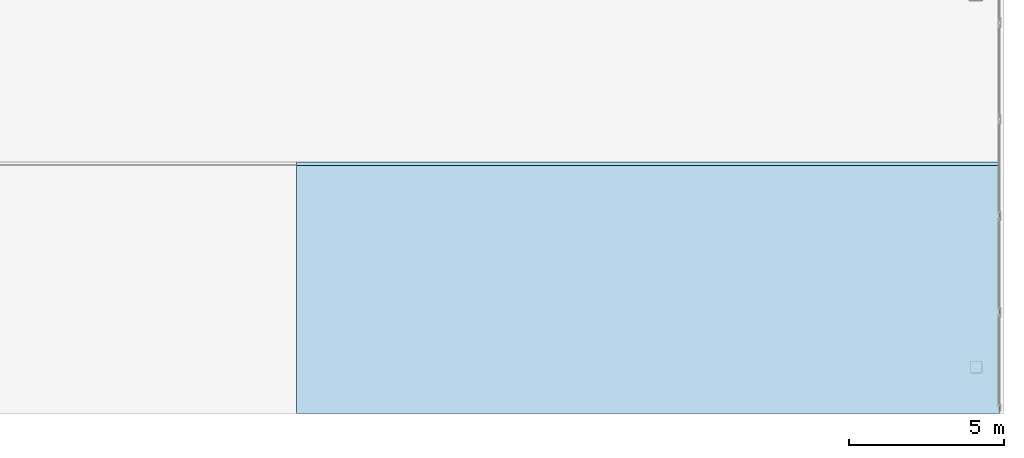
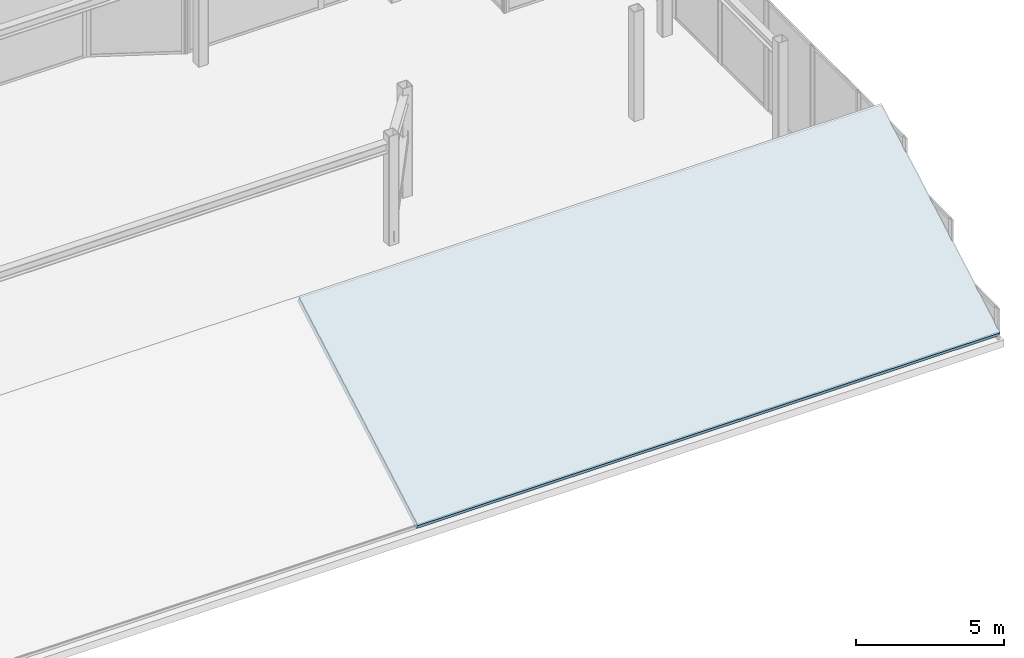
# One storey, part 11 of 12: 1 roof.
"""IFC4 building model written with IfcOpenShell, lengths in metres."""

import ifcopenshell
import ifcopenshell.guid

model = None  # the IFC model being written
_history = None  # IfcOwnerHistory: only IFC2X3 demands one
_inside = {}  # id of a spatial element -> (the spatial element, [elements in it])
_under = {}  # id of a project, library or spatial element -> (it, [spatial elements below it])
_declared = {}  # id of a project -> (the project, [libraries it declares])
_typed = {}  # id of a type object -> (the type object, [elements of that type])
_made_of = {}  # id of a material, layer set ... -> (it, [elements and type objects made of it])


def new_model(schema):
    """Start an empty IFC model of exactly this schema.

    Asked for "IFC4X3", IfcOpenShell would pick the latest addendum, in which some entities
    have other attributes; the version numbers below select the first issue.
    IFC2X3 requires an IfcOwnerHistory on every rooted entity: one is made here for all.
    """
    global model, _history
    if schema == "IFC4X3":
        model = ifcopenshell.file(schema_version=(4, 3, 0, 0))
    else:
        model = ifcopenshell.file(schema=schema)
    _inside.clear()
    _under.clear()
    _declared.clear()
    _typed.clear()
    _made_of.clear()
    _history = None
    if model.schema == "IFC2X3":
        org = make("IfcOrganization", Name="unknown")
        user = make(
            "IfcPersonAndOrganization",
            ThePerson=make("IfcPerson", FamilyName="unknown"),
            TheOrganization=org,
        )
        app = make(
            "IfcApplication",
            ApplicationDeveloper=org,
            Version="unknown",
            ApplicationFullName="unknown",
            ApplicationIdentifier="unknown",
        )
        _history = make(
            "IfcOwnerHistory",
            OwningUser=user,
            OwningApplication=app,
            ChangeAction="ADDED",
            CreationDate=0,
        )
    return model


def make(cls, **values):
    """One entity of the class cls with the attributes given. An attribute that is None is left unset."""
    return model.create_entity(
        cls, **{name: value for name, value in values.items() if value is not None}
    )


def rooted(cls, **values):
    """An entity with a GlobalId (a new one), such as an element, a storey or a relation."""
    return make(cls, GlobalId=ifcopenshell.guid.new(), OwnerHistory=_history, **values)


def si_unit(unit_type, name, prefix=None):
    """IfcSIUnit, for example si_unit("LENGTHUNIT", "METRE", prefix="MILLI")."""
    return make("IfcSIUnit", UnitType=unit_type, Prefix=prefix, Name=name)


def assignment(units):
    """IfcUnitAssignment: the units of a project."""
    return None if units is None else make("IfcUnitAssignment", Units=units)


def point(xyz):
    """IfcCartesianPoint."""
    return None if xyz is None else make("IfcCartesianPoint", Coordinates=xyz)


def direction(xyz):
    """IfcDirection."""
    return None if xyz is None else make("IfcDirection", DirectionRatios=xyz)


def frame(location, z_axis=None, x_axis=None):
    """IfcAxis2Placement3D, a coordinate frame: its origin and axes. An axis left out is left unset."""
    return make(
        "IfcAxis2Placement3D",
        Location=point(location),
        Axis=direction(z_axis),
        RefDirection=direction(x_axis),
    )


def origin():
    """The frame at (0, 0, 0) with its axes left unset."""
    return frame((0.0, 0.0, 0.0))


def place(relative_to, where):
    """IfcLocalPlacement: puts the frame where relative to a parent placement (None: the world)."""
    return make(
        "IfcLocalPlacement", PlacementRelTo=relative_to, RelativePlacement=where
    )


def context(
    kind, dimensions, precision=None, world=None, true_north=None, identifier=None
):
    """IfcGeometricRepresentationContext, for example the 3D "Model" context."""
    return make(
        "IfcGeometricRepresentationContext",
        ContextIdentifier=identifier,
        ContextType=kind,
        CoordinateSpaceDimension=dimensions,
        Precision=precision,
        WorldCoordinateSystem=world,
        TrueNorth=true_north,
    )


def subcontext(parent, identifier, kind, view, scale=None):
    """IfcGeometricRepresentationSubContext, for example "Body" below "Model"."""
    return make(
        "IfcGeometricRepresentationSubContext",
        ContextIdentifier=identifier,
        ContextType=kind,
        ParentContext=parent,
        TargetScale=scale,
        TargetView=view,
    )


def project(units=None, contexts=None):
    """IfcProject with its units and contexts."""
    return rooted(
        "IfcProject",
        Name="project",
        RepresentationContexts=contexts,
        UnitsInContext=assignment(units),
    )


def spatial(cls, under=None, at=None, **own):
    """A site, building, storey or space (cls), placed at a placement, below another one or the project."""
    s = rooted(cls, ObjectPlacement=at, **own)
    if under is not None:
        _under.setdefault(under.id(), (under, []))[1].append(s)
    return s


def polyline(points):
    """IfcPolyline through the points."""
    return make("IfcPolyline", Points=[point(p) for p in points])


def outline(outer, holes=None, kind="AREA"):
    """IfcArbitraryClosedProfileDef: a profile drawn as a closed curve; with holes, ...WithVoids."""
    if holes is None:
        return make("IfcArbitraryClosedProfileDef", ProfileType=kind, OuterCurve=outer)
    return make(
        "IfcArbitraryProfileDefWithVoids",
        ProfileType=kind,
        OuterCurve=outer,
        InnerCurves=holes,
    )


def extrude(swept, where, along, depth):
    """IfcExtrudedAreaSolid: the profile swept, set in the frame where, extruded along a direction by depth."""
    return make(
        "IfcExtrudedAreaSolid",
        SweptArea=swept,
        Position=where,
        ExtrudedDirection=direction(along),
        Depth=depth,
    )


def shape(context_of_items, identifier, shape_type, items):
    """IfcShapeRepresentation: the items that make up one representation, for example the "Body"."""
    return make(
        "IfcShapeRepresentation",
        ContextOfItems=context_of_items,
        RepresentationIdentifier=identifier,
        RepresentationType=shape_type,
        Items=items,
    )


def material(Name=None, Category=None):
    """IfcMaterial."""
    return make("IfcMaterial", Name=Name, Category=Category)


def layer(
    of_material, thickness, ventilated=None, Name=None, Category=None, Priority=None
):
    """IfcMaterialLayer: one layer of a wall or slab, of a material (None: an air gap)."""
    return make(
        "IfcMaterialLayer",
        Material=of_material,
        LayerThickness=thickness,
        IsVentilated=ventilated,
        Name=Name,
        Category=Category,
        Priority=Priority,
    )


def layer_set(layers, Name=None):
    """IfcMaterialLayerSet."""
    return make("IfcMaterialLayerSet", MaterialLayers=layers, LayerSetName=Name)


def made_of(thing, what):
    """Note that an element or type object is made of a material, layer set ...; save() writes the relation."""
    if what is not None:
        _made_of.setdefault(what.id(), (what, []))[1].append(thing)
    return thing


def type_object(cls, material=None, **own):
    """A type object (cls), such as IfcWallType, which elements share."""
    return made_of(rooted(cls, **own), material)


def element(
    cls,
    number,
    at=None,
    inside=None,
    cuts=None,
    type_object=None,
    material=None,
    context=None,
    identifier="Body",
    shape_type=None,
    held_by="IfcProductDefinitionShape",
    body=None,
    shapes=None,
    **own,
):
    """One element of the class cls, such as IfcWall. Its Tag is "e" and its number.

    at: its placement. inside: the storey or other place that contains it. cuts: it is an
    opening in that element (IfcRelVoidsElement). A single representation is given by context,
    identifier, shape_type and body (its items); several are given by shapes. held_by: the class
    of the entity that holds the representations. save() writes the other relations.
    """
    e = rooted(cls, Tag="e%d" % number, ObjectPlacement=at, **own)
    if body is not None:
        shapes = [shape(context, identifier, shape_type, body)]
    if shapes is not None:
        e.Representation = make(held_by, Representations=shapes)
    if inside is not None:
        _inside.setdefault(inside.id(), (inside, []))[1].append(e)
    if cuts is not None:
        rooted(
            "IfcRelVoidsElement", RelatingBuildingElement=cuts, RelatedOpeningElement=e
        )
    if type_object is not None:
        _typed.setdefault(type_object.id(), (type_object, []))[1].append(e)
    return made_of(e, material)


def aggregate(whole, parts):
    """IfcRelAggregates: a whole, such as a stair, and the parts it consists of."""
    return rooted("IfcRelAggregates", RelatingObject=whole, RelatedObjects=parts)


def save(model, path):
    """Write the relations noted so far, then the file.

    IfcRelAggregates (storeys below a building ...), IfcRelContainedInSpatialStructure (elements
    in a storey), IfcRelDefinesByType, IfcRelAssociatesMaterial and IfcRelDeclares: one each for
    every whole, place, type object, material and project.
    """
    for whole, parts in _under.values():
        aggregate(whole, parts)
    for where, things in _inside.values():
        rooted(
            "IfcRelContainedInSpatialStructure",
            RelatedElements=things,
            RelatingStructure=where,
        )
    for kind, things in _typed.values():
        rooted("IfcRelDefinesByType", RelatedObjects=things, RelatingType=kind)
    for what, things in _made_of.values():
        rooted("IfcRelAssociatesMaterial", RelatedObjects=things, RelatingMaterial=what)
    for by, libraries in _declared.values():
        rooted("IfcRelDeclares", RelatingContext=by, RelatedDefinitions=libraries)
    model.write(path)


model = new_model("IFC4")

# Units and contexts
model_context = context("Model", 3, precision=1e-05, world=origin(), true_north=direction((0.0, 1.0)))
body_context = subcontext(model_context, "Body", "Model", "MODEL_VIEW")
ifc_project = project(units=[si_unit("LENGTHUNIT", "METRE"), si_unit("AREAUNIT", "SQUARE_METRE"), si_unit("VOLUMEUNIT", "CUBIC_METRE"), si_unit("PLANEANGLEUNIT", "RADIAN"), si_unit("MASSUNIT", "GRAM", prefix="KILO")], contexts=[model_context])

# Site, building, storey
site_placement = place(None, origin())
site = spatial("IfcSite", under=ifc_project, at=site_placement, CompositionType="ELEMENT")
building_placement = place(site_placement, origin())
building = spatial("IfcBuilding", under=site, at=building_placement, Name="Tarnavaz Court Tower", CompositionType="ELEMENT")
storey_placement = place(building_placement, frame((0.0, 0.0, 299.550048828125)))
storey = spatial("IfcBuildingStorey", under=building, at=storey_placement, Name="C05", CompositionType="ELEMENT", Elevation=299.550048828125)

# Roof
ifc_material = material(Name="Precast Concrete C40/50", Category="concrete")
ifc_layer = layer(ifc_material, 0.219970703125)
ifc_layer_set = layer_set([ifc_layer], Name="Precast Concrete C40/50")
roof_type = type_object("IfcRoofType", Name="RF-CROWN-220", PredefinedType="SHED_ROOF", material=ifc_layer_set)
roof_placement = place(storey_placement, frame((22.64990234375, -7.5, 0.333251953125), z_axis=(0.0, -0.492277818231, 0.870438136617), x_axis=(-1.0, 0.0, 0.0)))
element("IfcRoof", 1, at=roof_placement, inside=storey, type_object=roof_type, Name="C05 Slanted-Cut Crown Roof Deck E", PredefinedType="SHED_ROOF", context=body_context, shape_type="SweptSolid", body=[
    extrude(outline(polyline([(0.0, 0.0), (22.64990234375, 0.0), (22.64990234375, -9.19077377639923), (0.0, -9.19077377639923), (0.0, 0.0)])), origin(), (0.0, 0.0, -1.0), 0.219970703125),
])

save(model, "model.ifc")
